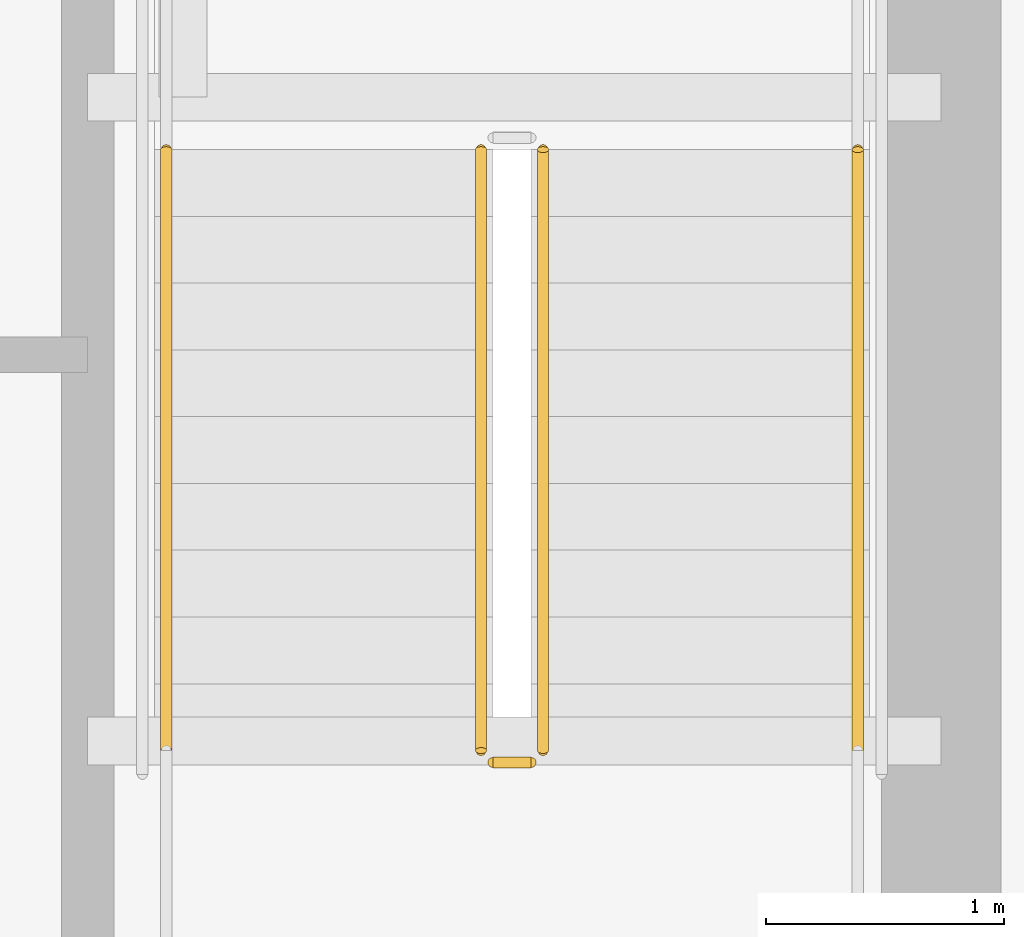
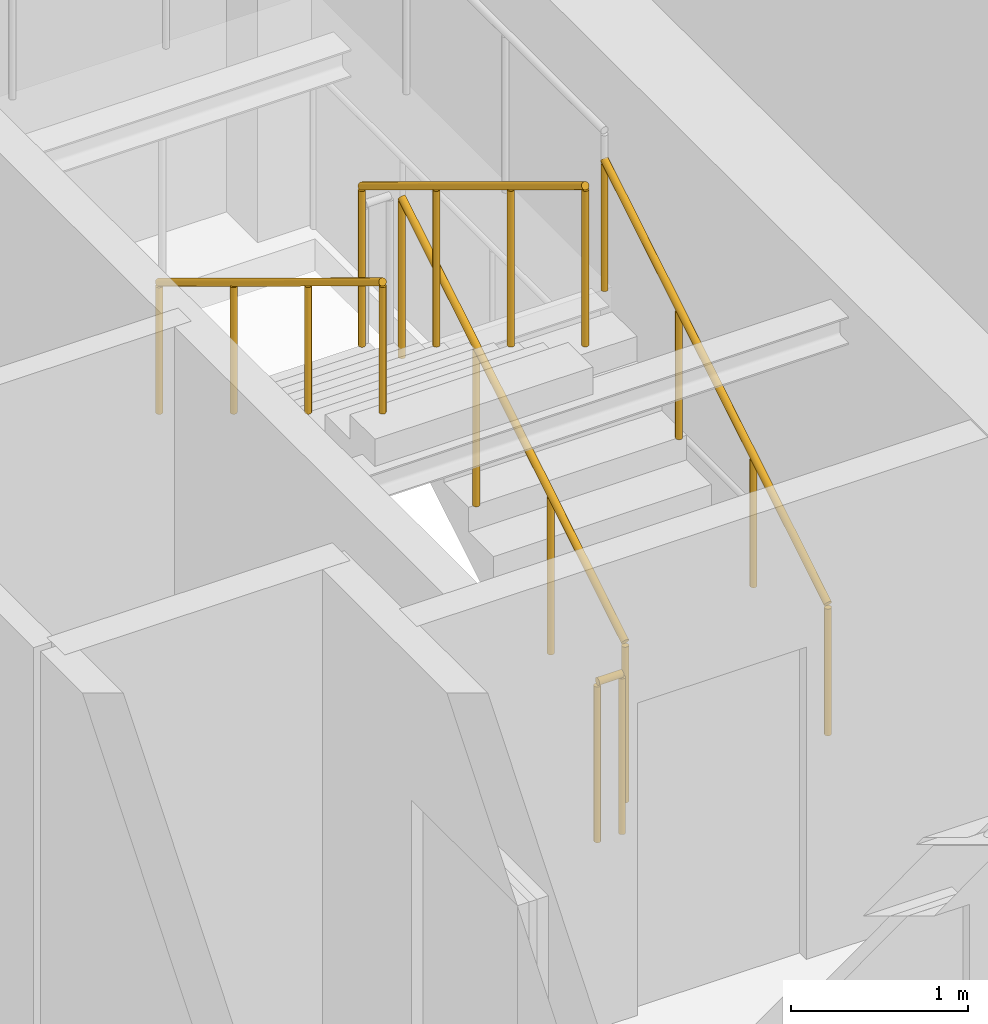
# One storey, part 30 of 33: 5 railings.
"""IFC4 building model written with IfcOpenShell, lengths in metres."""

from ifc_helpers import new_model, si_unit, direction, frame, origin, origin_2d, place, context, subcontext, project, spatial, circle, extrude, material, layer, layer_set, type_object, element, save


model = new_model("IFC4")

# Units and contexts
model_context = context("Model", 3, precision=1e-05, world=origin(), true_north=direction((0.0, 1.0)))
body_context = subcontext(model_context, "Body", "Model", "MODEL_VIEW")
ifc_project = project(units=[si_unit("LENGTHUNIT", "METRE"), si_unit("AREAUNIT", "SQUARE_METRE"), si_unit("VOLUMEUNIT", "CUBIC_METRE"), si_unit("PLANEANGLEUNIT", "RADIAN"), si_unit("MASSUNIT", "GRAM", prefix="KILO")], contexts=[model_context])

# Site, building, storey
site_placement = place(None, origin())
site = spatial("IfcSite", under=ifc_project, at=site_placement, CompositionType="ELEMENT")
building_placement = place(site_placement, origin())
building = spatial("IfcBuilding", under=site, at=building_placement, Name="Yelkora Congress Tower", CompositionType="ELEMENT")
storey_placement = place(building_placement, frame((0.0, 0.0, 64.39990234375)))
storey = spatial("IfcBuildingStorey", under=building, at=storey_placement, Name="L16", CompositionType="ELEMENT", Elevation=64.39990234375)

# Railings
ifc_material_1 = material(Name="Painted galvanised steel stair well guard with vertical infill", Category="steel")
ifc_layer_1 = layer(ifc_material_1, 0.06005859375)
ifc_layer_set_1 = layer_set([ifc_layer_1], Name="Painted galvanised steel stair well guard with vertical infill")
railing_type_1 = type_object("IfcRailingType", Name="RAIL-STAIR-GUARD-1120", PredefinedType="GUARDRAIL", material=ifc_layer_set_1)
railing_1_placement = place(storey_placement, frame((52.090087890625, 39.60009765625, 0.170166015625)))
element("IfcRailing", 1, at=railing_1_placement, inside=storey, type_object=railing_type_1, Name="ST-02 L16 Stair Well Guardrail 1", PredefinedType="GUARDRAIL", context=body_context, shape_type="SweptSolid", body=[
    extrude(circle(Radius=0.02392578125, at=origin_2d()), frame((0.0, 0.0, 1.09619140625), z_axis=(0.0, 0.85478489116, 0.518982456201), x_axis=(-1.0, 0.0, 0.0)), (0.0, 0.0, 1.0), 2.9482421875),
    extrude(circle(Radius=0.02099609375, at=origin_2d()), origin(), (0.0, 0.0, 1.0), 1.072021484375),
    extrude(circle(Radius=0.02099609375, at=origin_2d()), frame((0.0, 0.840087890625, 0.510009765625)), (0.0, 0.0, 1.0), 1.072021484375),
    extrude(circle(Radius=0.02099609375, at=origin_2d()), frame((0.0, 1.679931640625, 1.02001953125)), (0.0, 0.0, 1.0), 1.072021484375),
    extrude(circle(Radius=0.02099609375, at=origin_2d()), frame((0.0, 2.52001953125, 1.530029296875)), (0.0, 0.0, 1.0), 1.072021484375),
])
railing_2_placement = place(storey_placement, frame((51.830078125, 42.1201171875, 1.8701171875)))
element("IfcRailing", 2, at=railing_2_placement, inside=storey, type_object=railing_type_1, Name="ST-02 L16 Stair Well Guardrail 6", PredefinedType="GUARDRAIL", context=body_context, shape_type="SweptSolid", body=[
    extrude(circle(Radius=0.02392578125, at=origin_2d()), frame((0.0, 0.0, 1.09619140625), z_axis=(0.0, -0.85478489116, 0.518982456201), x_axis=(1.0, 0.0, 0.0)), (0.0, 0.0, 1.0), 2.9482421875),
    extrude(circle(Radius=0.02099609375, at=origin_2d()), origin(), (0.0, 0.0, 1.0), 1.072021484375),
    extrude(circle(Radius=0.02099609375, at=origin_2d()), frame((0.0, -0.840087890625, 0.510009765625)), (0.0, 0.0, 1.0), 1.072021484375),
    extrude(circle(Radius=0.02099609375, at=origin_2d()), frame((0.0, -1.679931640625, 1.02001953125)), (0.0, 0.0, 1.0), 1.072021484375),
    extrude(circle(Radius=0.02099609375, at=origin_2d()), frame((0.0, -2.52001953125, 1.530029296875)), (0.0, 0.0, 1.0), 1.072021484375),
])
railing_3_placement = place(storey_placement, frame((52.0400390625, 39.550048828125, 0.0)))
element("IfcRailing", 3, at=railing_3_placement, inside=storey, type_object=railing_type_1, Name="ST-02 L16 Stair Well Guardrail 7", PredefinedType="GUARDRAIL", context=body_context, shape_type="SweptSolid", body=[
    extrude(circle(Radius=0.02392578125, at=origin_2d()), frame((0.0, 0.0, 1.09619140625), z_axis=(-1.0, 0.0, 0.0), x_axis=(0.0, -1.0, 0.0)), (0.0, 0.0, 1.0), 0.16015625),
    extrude(circle(Radius=0.02099609375, at=origin_2d()), origin(), (0.0, 0.0, 1.0), 1.072021484375),
    extrude(circle(Radius=0.02099609375, at=origin_2d()), frame((-0.16015625, 0.0, 0.0)), (0.0, 0.0, 1.0), 1.072021484375),
])
ifc_material_2 = material(Name="Brushed stainless steel tubular handrail", Category="steel")
ifc_layer_2 = layer(ifc_material_2, 0.050048828125)
ifc_layer_set_2 = layer_set([ifc_layer_2], Name="Brushed stainless steel tubular handrail")
railing_type_2 = type_object("IfcRailingType", Name="RAIL-STAIR-HAND-920", PredefinedType="HANDRAIL", material=ifc_layer_set_2)
railing_4_placement = place(storey_placement, frame((53.409912109375, 39.60009765625, 0.170166015625)))
element("IfcRailing", 4, at=railing_4_placement, inside=storey, type_object=railing_type_2, Name="ST-02 L16 Pitch Handrail 1", PredefinedType="HANDRAIL", context=body_context, shape_type="SweptSolid", body=[
    extrude(circle(Radius=0.02392578125, at=origin_2d()), frame((0.0, 0.0, 0.89599609375), z_axis=(0.0, 0.85478489116, 0.518982456201), x_axis=(-1.0, 0.0, 0.0)), (0.0, 0.0, 1.0), 2.9482421875),
    extrude(circle(Radius=0.02099609375, at=origin_2d()), origin(), (0.0, 0.0, 1.0), 0.871826171875),
    extrude(circle(Radius=0.02099609375, at=origin_2d()), frame((0.0, 0.840087890625, 0.510009765625)), (0.0, 0.0, 1.0), 0.871826171875),
    extrude(circle(Radius=0.02099609375, at=origin_2d()), frame((0.0, 1.679931640625, 1.02001953125)), (0.0, 0.0, 1.0), 0.871826171875),
    extrude(circle(Radius=0.02099609375, at=origin_2d()), frame((0.0, 2.52001953125, 1.530029296875)), (0.0, 0.0, 1.0), 0.871826171875),
])
railing_5_placement = place(storey_placement, frame((50.510009765625, 42.1201171875, 1.8701171875)))
element("IfcRailing", 5, at=railing_5_placement, inside=storey, type_object=railing_type_2, Name="ST-02 L16 Pitch Handrail 2", PredefinedType="HANDRAIL", context=body_context, shape_type="SweptSolid", body=[
    extrude(circle(Radius=0.02392578125, at=origin_2d()), frame((0.0, 0.0, 0.89599609375), z_axis=(0.0, -0.85478489116, 0.518982456201), x_axis=(1.0, 0.0, 0.0)), (0.0, 0.0, 1.0), 2.9482421875),
    extrude(circle(Radius=0.02099609375, at=origin_2d()), origin(), (0.0, 0.0, 1.0), 0.871826171875),
    extrude(circle(Radius=0.02099609375, at=origin_2d()), frame((0.0, -0.840087890625, 0.510009765625)), (0.0, 0.0, 1.0), 0.871826171875),
    extrude(circle(Radius=0.02099609375, at=origin_2d()), frame((0.0, -1.679931640625, 1.02001953125)), (0.0, 0.0, 1.0), 0.871826171875),
    extrude(circle(Radius=0.02099609375, at=origin_2d()), frame((0.0, -2.52001953125, 1.530029296875)), (0.0, 0.0, 1.0), 0.871826171875),
])

save(model, "model.ifc")
